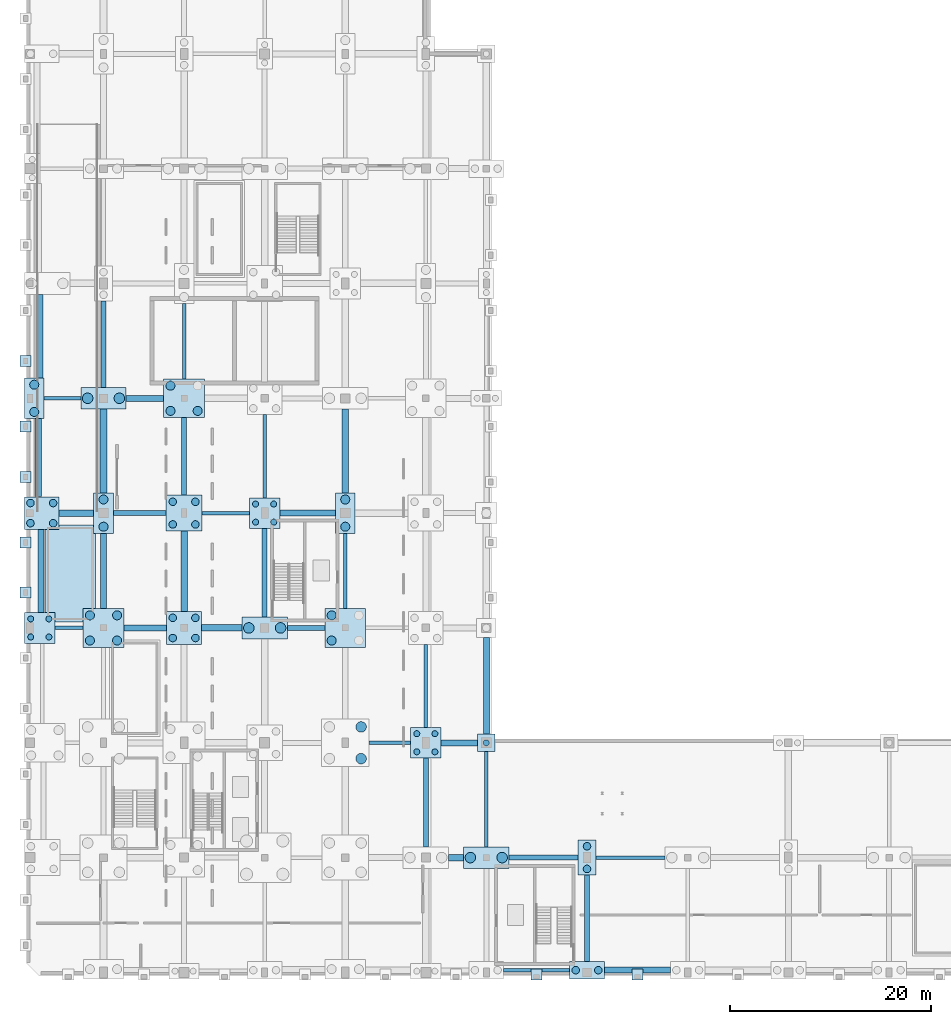
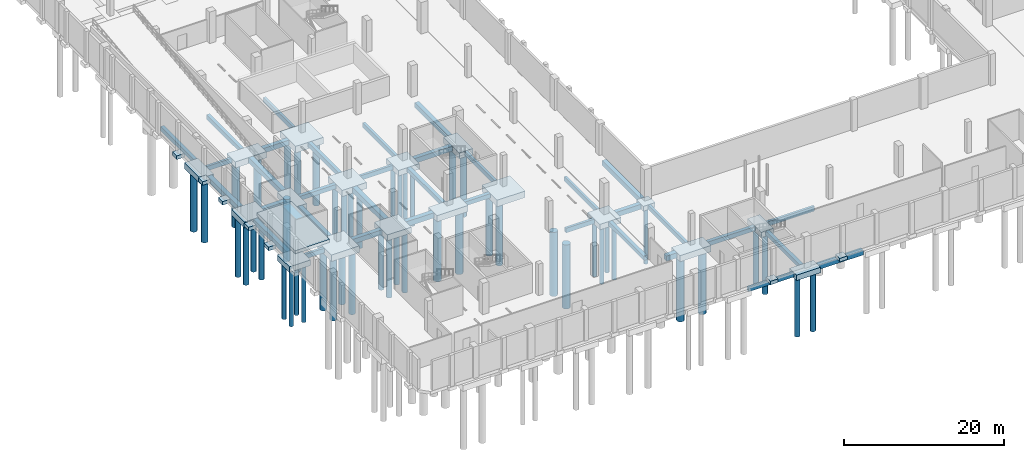
# One storey, part 2 of 34: 61 footings, 52 piles.
"""IFC4 building model written with IfcOpenShell, lengths in metres."""

from ifc_helpers import new_model, si_unit, direction, frame, origin, origin_2d, place, context, subcontext, project, spatial, rectangle, circle, extrude, material, material_profile, profile_set, type_object, element, save


model = new_model("IFC4")

# Units and contexts
model_context = context("Model", 3, precision=1e-05, world=origin(), true_north=direction((0.0, 1.0)))
body_context = subcontext(model_context, "Body", "Model", "MODEL_VIEW")
ifc_project = project(units=[si_unit("LENGTHUNIT", "METRE"), si_unit("AREAUNIT", "SQUARE_METRE"), si_unit("VOLUMEUNIT", "CUBIC_METRE"), si_unit("PLANEANGLEUNIT", "RADIAN"), si_unit("MASSUNIT", "GRAM", prefix="KILO"), si_unit("POWERUNIT", "WATT"), si_unit("THERMODYNAMICTEMPERATUREUNIT", "KELVIN")], contexts=[model_context])

# Site, building, storey
site_placement = place(None, origin())
site = spatial("IfcSite", under=ifc_project, at=site_placement, CompositionType="ELEMENT")
building_placement = place(site_placement, origin())
building = spatial("IfcBuilding", under=site, at=building_placement, Name="Kelmbourne Parkland Aquatics Centre", CompositionType="ELEMENT")
storey_placement = place(building_placement, frame((0.0, 0.0, -4.800048828125)))
storey = spatial("IfcBuildingStorey", under=building, at=storey_placement, Name="B1", CompositionType="ELEMENT", Elevation=-4.800048828125)

# Footings
ifc_material = material(Name="Waterproof concrete C50/60", Category="concrete")
footing_type_1 = type_object("IfcFootingType", Name="FT-FB1", PredefinedType="FOOTING_BEAM", material=ifc_material)
footing_1_placement = place(storey_placement, frame((51.6875, 12.199951171875, -1.099853515625), z_axis=(0.0, 0.0, 1.0), x_axis=(1.0, 0.0, 0.0)))
element("IfcFooting", 1, at=footing_1_placement, inside=storey, type_object=footing_type_1, Name="Ground tie beam G-H on Grid 03", PredefinedType="FOOTING_BEAM", context=body_context, shape_type="SweptSolid", body=[
    extrude(rectangle(XDim=6.875, YDim=0.5, at=origin_2d()), origin(), (0.0, 0.0, 1.0), 0.64990234375),
])
footing_2_placement = place(storey_placement, frame((28.112548828125, 35.0, -1.099853515625), z_axis=(0.0, 0.0, 1.0), x_axis=(1.0, 0.0, 0.0)))
element("IfcFooting", 2, at=footing_2_placement, inside=storey, type_object=footing_type_1, Name="Ground tie beam D-E on Grid 05", PredefinedType="FOOTING_BEAM", context=body_context, shape_type="SweptSolid", body=[
    extrude(rectangle(XDim=3.72509765625, YDim=0.5, at=origin_2d()), origin(), (0.0, 0.0, 1.0), 0.64990234375),
])
footing_3_placement = place(storey_placement, frame((11.60009765625, 46.39990234375, -1.099853515625), z_axis=(0.0, 0.0, 1.0), x_axis=(1.0, 0.0, 0.0)))
element("IfcFooting", 3, at=footing_3_placement, inside=storey, type_object=footing_type_1, Name="Ground tie beam B-C on Grid 06", PredefinedType="FOOTING_BEAM", context=body_context, shape_type="SweptSolid", body=[
    extrude(rectangle(XDim=5.25, YDim=0.5, at=origin_2d()), origin(), (0.0, 0.0, 1.0), 0.64990234375),
])
footing_4_placement = place(storey_placement, frame((1.762451171875, 63.96240234375, -1.099853515625), z_axis=(0.0, 0.0, 1.0), x_axis=(0.0, 1.0, 0.0)))
element("IfcFooting", 4, at=footing_4_placement, inside=storey, type_object=footing_type_1, Name="Ground tie beam 08-10 on Grid A", PredefinedType="FOOTING_BEAM", context=body_context, shape_type="SweptSolid", body=[
    extrude(rectangle(XDim=8.324951171875, YDim=0.5, at=origin_2d()), origin(), (0.0, 0.0, 1.0), 0.64990234375),
])
footing_5_placement = place(storey_placement, frame((8.0, 63.175048828125, -1.099853515625), z_axis=(0.0, 0.0, 1.0), x_axis=(0.0, 1.0, 0.0)))
element("IfcFooting", 5, at=footing_5_placement, inside=storey, type_object=footing_type_1, Name="Ground tie beam 08-10 on Grid B", PredefinedType="FOOTING_BEAM", context=body_context, shape_type="SweptSolid", body=[
    extrude(rectangle(XDim=8.60009765625, YDim=0.5, at=origin_2d()), origin(), (0.0, 0.0, 1.0), 0.64990234375),
])
footing_6_placement = place(storey_placement, frame((16.0, 52.02490234375, -1.099853515625), z_axis=(0.0, 0.0, 1.0), x_axis=(0.0, 1.0, 0.0)))
element("IfcFooting", 6, at=footing_6_placement, inside=storey, type_object=footing_type_1, Name="Ground tie beam 06-08 on Grid C", PredefinedType="FOOTING_BEAM", context=body_context, shape_type="SweptSolid", body=[
    extrude(rectangle(XDim=7.699951171875, YDim=0.5, at=origin_2d()), origin(), (0.0, 0.0, 1.0), 0.64990234375),
])
for number, where, z_axis, x_axis, name in (
    (7, (24.0, 40.47509765625, -1.099853515625), (0.0, 0.0, 1.0), (0.0, 1.0, 0.0), "Ground tie beam 05-06 on Grid D"),
    (8, (40.0, 17.675048828125, -1.099853515625), (0.0, 0.0, 1.0), (0.0, 1.0, 0.0), "Ground tie beam 03-04 on Grid F"),
):
    element("IfcFooting", number, at=place(storey_placement, frame(where, z_axis=z_axis, x_axis=x_axis)), inside=storey, type_object=footing_type_1, Name=name, PredefinedType="FOOTING_BEAM", context=body_context, shape_type="SweptSolid", body=[
        extrude(rectangle(XDim=8.800048828125, YDim=0.5, at=origin_2d()), origin(), (0.0, 0.0, 1.0), 0.64990234375),
    ])
footing_7_placement = place(storey_placement, frame((56.0, 6.1875, -1.099853515625), z_axis=(0.0, 0.0, 1.0), x_axis=(0.0, 1.0, 0.0)))
element("IfcFooting", 9, at=footing_7_placement, inside=storey, type_object=footing_type_1, Name="Ground tie beam 01-03 on Grid H", PredefinedType="FOOTING_BEAM", context=body_context, shape_type="SweptSolid", body=[
    extrude(rectangle(XDim=8.574951171875, YDim=0.5, at=origin_2d()), origin(), (0.0, 0.0, 1.0), 0.64990234375),
])
footing_type_2 = type_object("IfcFootingType", Name="FT-FB2", PredefinedType="FOOTING_BEAM", material=ifc_material)
footing_8_placement = place(storey_placement, frame((51.0, 1.02490234375, -1.14990234375), z_axis=(0.0, 0.0, 1.0), x_axis=(1.0, 0.0, 0.0)))
element("IfcFooting", 10, at=footing_8_placement, inside=storey, type_object=footing_type_2, Name="Ground tie beam G-H on Grid 01", PredefinedType="FOOTING_BEAM", context=body_context, shape_type="SweptSolid", body=[
    extrude(rectangle(XDim=6.550048828125, YDim=0.35009765625, at=origin_2d()), origin(), (0.0, 0.0, 1.0), 0.699951171875),
])
footing_9_placement = place(storey_placement, frame((60.3125, 12.199951171875, -1.14990234375), z_axis=(0.0, 0.0, 1.0), x_axis=(1.0, 0.0, 0.0)))
element("IfcFooting", 11, at=footing_9_placement, inside=storey, type_object=footing_type_2, Name="Ground tie beam H-I on Grid 03", PredefinedType="FOOTING_BEAM", context=body_context, shape_type="SweptSolid", body=[
    extrude(rectangle(XDim=6.875, YDim=0.35009765625, at=origin_2d()), origin(), (0.0, 0.0, 1.0), 0.699951171875),
])
footing_10_placement = place(storey_placement, frame((36.425048828125, 23.60009765625, -1.14990234375), z_axis=(0.0, 0.0, 1.0), x_axis=(1.0, 0.0, 0.0)))
element("IfcFooting", 12, at=footing_10_placement, inside=storey, type_object=footing_type_2, Name="Ground tie beam E-F on Grid 04", PredefinedType="FOOTING_BEAM", context=body_context, shape_type="SweptSolid", body=[
    extrude(rectangle(XDim=4.10009765625, YDim=0.35009765625, at=origin_2d()), origin(), (0.0, 0.0, 1.0), 0.699951171875),
])
footing_11_placement = place(storey_placement, frame((4.58740234375, 35.0, -1.14990234375), z_axis=(0.0, 0.0, 1.0), x_axis=(1.0, 0.0, 0.0)))
element("IfcFooting", 13, at=footing_11_placement, inside=storey, type_object=footing_type_2, Name="Ground tie beam A-B on Grid 05", PredefinedType="FOOTING_BEAM", context=body_context, shape_type="SweptSolid", body=[
    extrude(rectangle(XDim=2.77490234375, YDim=0.35009765625, at=origin_2d()), origin(), (0.0, 0.0, 1.0), 0.699951171875),
])
footing_12_placement = place(storey_placement, frame((20.125, 46.39990234375, -1.14990234375), z_axis=(0.0, 0.0, 1.0), x_axis=(1.0, 0.0, 0.0)))
element("IfcFooting", 14, at=footing_12_placement, inside=storey, type_object=footing_type_2, Name="Ground tie beam C-D on Grid 06", PredefinedType="FOOTING_BEAM", context=body_context, shape_type="SweptSolid", body=[
    extrude(rectangle(XDim=4.699951171875, YDim=0.35009765625, at=origin_2d()), origin(), (0.0, 0.0, 1.0), 0.699951171875),
])
footing_13_placement = place(storey_placement, frame((3.925048828125, 57.800048828125, -1.14990234375), z_axis=(0.0, 0.0, 1.0), x_axis=(1.0, 0.0, 0.0)))
element("IfcFooting", 15, at=footing_13_placement, inside=storey, type_object=footing_type_2, Name="Ground tie beam A-B on Grid 08", PredefinedType="FOOTING_BEAM", context=body_context, shape_type="SweptSolid", body=[
    extrude(rectangle(XDim=3.64990234375, YDim=0.35009765625, at=origin_2d()), origin(), (0.0, 0.0, 1.0), 0.699951171875),
])
footing_14_placement = place(storey_placement, frame((16.0, 63.46240234375, -1.14990234375), z_axis=(0.0, 0.0, 1.0), x_axis=(0.0, 1.0, 0.0)))
element("IfcFooting", 16, at=footing_14_placement, inside=storey, type_object=footing_type_2, Name="Ground tie beam 08-10 on Grid C", PredefinedType="FOOTING_BEAM", context=body_context, shape_type="SweptSolid", body=[
    extrude(rectangle(XDim=7.47509765625, YDim=0.35009765625, at=origin_2d()), origin(), (0.0, 0.0, 1.0), 0.699951171875),
])
footing_15_placement = place(storey_placement, frame((24.0, 52.050048828125, -1.14990234375), z_axis=(0.0, 0.0, 1.0), x_axis=(0.0, 1.0, 0.0)))
element("IfcFooting", 17, at=footing_15_placement, inside=storey, type_object=footing_type_2, Name="Ground tie beam 06-08 on Grid D", PredefinedType="FOOTING_BEAM", context=body_context, shape_type="SweptSolid", body=[
    extrude(rectangle(XDim=8.25, YDim=0.35009765625, at=origin_2d()), origin(), (0.0, 0.0, 1.0), 0.699951171875),
])
footing_16_placement = place(storey_placement, frame((32.0, 40.66259765625, -1.14990234375), z_axis=(0.0, 0.0, 1.0), x_axis=(0.0, 1.0, 0.0)))
element("IfcFooting", 18, at=footing_16_placement, inside=storey, type_object=footing_type_2, Name="Ground tie beam 05-06 on Grid E", PredefinedType="FOOTING_BEAM", context=body_context, shape_type="SweptSolid", body=[
    extrude(rectangle(XDim=7.47509765625, YDim=0.35009765625, at=origin_2d()), origin(), (0.0, 0.0, 1.0), 0.699951171875),
])
footing_17_placement = place(storey_placement, frame((40.0, 29.25, -1.14990234375), z_axis=(0.0, 0.0, 1.0), x_axis=(0.0, 1.0, 0.0)))
element("IfcFooting", 19, at=footing_17_placement, inside=storey, type_object=footing_type_2, Name="Ground tie beam 04-05 on Grid F", PredefinedType="FOOTING_BEAM", context=body_context, shape_type="SweptSolid", body=[
    extrude(rectangle(XDim=8.25, YDim=0.35009765625, at=origin_2d()), origin(), (0.0, 0.0, 1.0), 0.699951171875),
])
footing_18_placement = place(storey_placement, frame((46.0, 18.012451171875, -1.14990234375), z_axis=(0.0, 0.0, 1.0), x_axis=(0.0, 1.0, 0.0)))
element("IfcFooting", 20, at=footing_18_placement, inside=storey, type_object=footing_type_2, Name="Ground tie beam 03-04 on Grid G", PredefinedType="FOOTING_BEAM", context=body_context, shape_type="SweptSolid", body=[
    extrude(rectangle(XDim=9.47509765625, YDim=0.35009765625, at=origin_2d()), origin(), (0.0, 0.0, 1.0), 0.699951171875),
])
footing_type_3 = type_object("IfcFootingType", Name="FT-FB3", PredefinedType="FOOTING_BEAM", material=ifc_material)
footing_19_placement = place(storey_placement, frame((61.0, 1.02490234375, -1.199951171875), z_axis=(0.0, 0.0, 1.0), x_axis=(1.0, 0.0, 0.0)))
element("IfcFooting", 21, at=footing_19_placement, inside=storey, type_object=footing_type_3, Name="Ground tie beam H-I on Grid 01", PredefinedType="FOOTING_BEAM", context=body_context, shape_type="SweptSolid", body=[
    extrude(rectangle(XDim=6.550048828125, YDim=0.60009765625, at=origin_2d()), origin(), (0.0, 0.0, 1.0), 0.75),
])
footing_20_placement = place(storey_placement, frame((43.33740234375, 23.60009765625, -1.199951171875), z_axis=(0.0, 0.0, 1.0), x_axis=(1.0, 0.0, 0.0)))
element("IfcFooting", 22, at=footing_20_placement, inside=storey, type_object=footing_type_3, Name="Ground tie beam F-G on Grid 04", PredefinedType="FOOTING_BEAM", context=body_context, shape_type="SweptSolid", body=[
    extrude(rectangle(XDim=3.625, YDim=0.60009765625, at=origin_2d()), origin(), (0.0, 0.0, 1.0), 0.75),
])
footing_21_placement = place(storey_placement, frame((12.14990234375, 35.0, -1.199951171875), z_axis=(0.0, 0.0, 1.0), x_axis=(1.0, 0.0, 0.0)))
element("IfcFooting", 23, at=footing_21_placement, inside=storey, type_object=footing_type_3, Name="Ground tie beam B-C on Grid 05", PredefinedType="FOOTING_BEAM", context=body_context, shape_type="SweptSolid", body=[
    extrude(rectangle(XDim=4.25, YDim=0.60009765625, at=origin_2d()), origin(), (0.0, 0.0, 1.0), 0.75),
])
footing_22_placement = place(storey_placement, frame((28.27490234375, 46.39990234375, -1.199951171875), z_axis=(0.0, 0.0, 1.0), x_axis=(1.0, 0.0, 0.0)))
element("IfcFooting", 24, at=footing_22_placement, inside=storey, type_object=footing_type_3, Name="Ground tie beam D-E on Grid 06", PredefinedType="FOOTING_BEAM", context=body_context, shape_type="SweptSolid", body=[
    extrude(rectangle(XDim=5.5, YDim=0.60009765625, at=origin_2d()), origin(), (0.0, 0.0, 1.0), 0.75),
])
footing_23_placement = place(storey_placement, frame((12.112548828125, 57.800048828125, -1.199951171875), z_axis=(0.0, 0.0, 1.0), x_axis=(1.0, 0.0, 0.0)))
element("IfcFooting", 25, at=footing_23_placement, inside=storey, type_object=footing_type_3, Name="Ground tie beam B-C on Grid 08", PredefinedType="FOOTING_BEAM", context=body_context, shape_type="SweptSolid", body=[
    extrude(rectangle(XDim=3.72509765625, YDim=0.60009765625, at=origin_2d()), origin(), (0.0, 0.0, 1.0), 0.75),
])
footing_24_placement = place(storey_placement, frame((1.77490234375, 40.64990234375, -1.199951171875), z_axis=(0.0, 0.0, 1.0), x_axis=(0.0, 1.0, 0.0)))
element("IfcFooting", 26, at=footing_24_placement, inside=storey, type_object=footing_type_3, Name="Ground tie beam 05-06 on Grid A", PredefinedType="FOOTING_BEAM", context=body_context, shape_type="SweptSolid", body=[
    extrude(rectangle(XDim=8.25, YDim=0.60009765625, at=origin_2d()), origin(), (0.0, 0.0, 1.0), 0.75),
])
footing_25_placement = place(storey_placement, frame((8.0, 40.66259765625, -1.199951171875), z_axis=(0.0, 0.0, 1.0), x_axis=(0.0, 1.0, 0.0)))
element("IfcFooting", 27, at=footing_25_placement, inside=storey, type_object=footing_type_3, Name="Ground tie beam 05-06 on Grid B", PredefinedType="FOOTING_BEAM", context=body_context, shape_type="SweptSolid", body=[
    extrude(rectangle(XDim=7.47509765625, YDim=0.60009765625, at=origin_2d()), origin(), (0.0, 0.0, 1.0), 0.75),
])
footing_26_placement = place(storey_placement, frame((32.0, 52.5625, -1.199951171875), z_axis=(0.0, 0.0, 1.0), x_axis=(0.0, 1.0, 0.0)))
element("IfcFooting", 28, at=footing_26_placement, inside=storey, type_object=footing_type_3, Name="Ground tie beam 06-08 on Grid E", PredefinedType="FOOTING_BEAM", context=body_context, shape_type="SweptSolid", body=[
    extrude(rectangle(XDim=8.324951171875, YDim=0.60009765625, at=origin_2d()), origin(), (0.0, 0.0, 1.0), 0.75),
])
footing_27_placement = place(storey_placement, frame((46.0, 29.25, -1.199951171875), z_axis=(0.0, 0.0, 1.0), x_axis=(0.0, 1.0, 0.0)))
element("IfcFooting", 29, at=footing_27_placement, inside=storey, type_object=footing_type_3, Name="Ground tie beam 04-05 on Grid G", PredefinedType="FOOTING_BEAM", context=body_context, shape_type="SweptSolid", body=[
    extrude(rectangle(XDim=9.60009765625, YDim=0.60009765625, at=origin_2d()), origin(), (0.0, 0.0, 1.0), 0.75),
])
footing_type_4 = type_object("IfcFootingType", Name="FT-FB4", PredefinedType="FOOTING_BEAM", material=ifc_material)
footing_28_placement = place(storey_placement, frame((43.0, 12.199951171875, -1.25), z_axis=(0.0, 0.0, 1.0), x_axis=(1.0, 0.0, 0.0)))
element("IfcFooting", 30, at=footing_28_placement, inside=storey, type_object=footing_type_4, Name="Ground tie beam F-G on Grid 03", PredefinedType="FOOTING_BEAM", context=body_context, shape_type="SweptSolid", body=[
    extrude(rectangle(XDim=1.5, YDim=0.64990234375, at=origin_2d()), origin(), (0.0, 0.0, 1.0), 0.800048828125),
])
footing_29_placement = place(storey_placement, frame((19.737548828125, 35.0, -1.25), z_axis=(0.0, 0.0, 1.0), x_axis=(1.0, 0.0, 0.0)))
element("IfcFooting", 31, at=footing_29_placement, inside=storey, type_object=footing_type_4, Name="Ground tie beam C-D on Grid 05", PredefinedType="FOOTING_BEAM", context=body_context, shape_type="SweptSolid", body=[
    extrude(rectangle(XDim=4.02490234375, YDim=0.64990234375, at=origin_2d()), origin(), (0.0, 0.0, 1.0), 0.800048828125),
])
footing_30_placement = place(storey_placement, frame((5.3125, 46.39990234375, -1.25), z_axis=(0.0, 0.0, 1.0), x_axis=(1.0, 0.0, 0.0)))
element("IfcFooting", 32, at=footing_30_placement, inside=storey, type_object=footing_type_4, Name="Ground tie beam A-B on Grid 06", PredefinedType="FOOTING_BEAM", context=body_context, shape_type="SweptSolid", body=[
    extrude(rectangle(XDim=3.425048828125, YDim=0.64990234375, at=origin_2d()), origin(), (0.0, 0.0, 1.0), 0.800048828125),
])
footing_31_placement = place(storey_placement, frame((1.5, 51.91259765625, -1.25), z_axis=(0.0, 0.0, 1.0), x_axis=(0.0, 1.0, 0.0)))
element("IfcFooting", 33, at=footing_31_placement, inside=storey, type_object=footing_type_4, Name="Ground tie beam 06-08 on Grid A", PredefinedType="FOOTING_BEAM", context=body_context, shape_type="SweptSolid", body=[
    extrude(rectangle(XDim=7.77490234375, YDim=0.64990234375, at=origin_2d()), origin(), (0.0, 0.0, 1.0), 0.800048828125),
])
footing_32_placement = place(storey_placement, frame((8.0, 52.5625, -1.25), z_axis=(0.0, 0.0, 1.0), x_axis=(0.0, 1.0, 0.0)))
element("IfcFooting", 34, at=footing_32_placement, inside=storey, type_object=footing_type_4, Name="Ground tie beam 06-08 on Grid B", PredefinedType="FOOTING_BEAM", context=body_context, shape_type="SweptSolid", body=[
    extrude(rectangle(XDim=8.324951171875, YDim=0.64990234375, at=origin_2d()), origin(), (0.0, 0.0, 1.0), 0.800048828125),
])
footing_33_placement = place(storey_placement, frame((16.0, 40.625, -1.25), z_axis=(0.0, 0.0, 1.0), x_axis=(0.0, 1.0, 0.0)))
element("IfcFooting", 35, at=footing_33_placement, inside=storey, type_object=footing_type_4, Name="Ground tie beam 05-06 on Grid C", PredefinedType="FOOTING_BEAM", context=body_context, shape_type="SweptSolid", body=[
    extrude(rectangle(XDim=8.0, YDim=0.64990234375, at=origin_2d()), origin(), (0.0, 0.0, 1.0), 0.800048828125),
])
footing_type_5 = type_object("IfcFootingType", Name="FT-PC01", PredefinedType="PILE_CAP", material=ifc_material)
footing_34_placement = place(storey_placement, frame((46.0, 23.60009765625, -1.199951171875), z_axis=(0.0, 0.0, 1.0), x_axis=(1.0, 0.0, 0.0)))
element("IfcFooting", 36, at=footing_34_placement, inside=storey, type_object=footing_type_5, Name="Bored pile cap PC-G-04", PredefinedType="PILE_CAP", context=body_context, shape_type="SweptSolid", body=[
    extrude(rectangle(XDim=1.699951171875, YDim=1.699951171875, at=origin_2d()), origin(), (0.0, 0.0, 1.0), 0.75),
])
footing_type_6 = type_object("IfcFootingType", Name="FT-PC06", PredefinedType="PILE_CAP", material=ifc_material)
footing_35_placement = place(storey_placement, frame((56.0, 1.02490234375, -1.300048828125), z_axis=(0.0, 0.0, 1.0), x_axis=(1.0, 0.0, 0.0)))
element("IfcFooting", 37, at=footing_35_placement, inside=storey, type_object=footing_type_6, Name="Bored pile cap PC-H-01", PredefinedType="PILE_CAP", context=body_context, shape_type="SweptSolid", body=[
    extrude(rectangle(XDim=3.449951171875, YDim=1.75, at=origin_2d()), origin(), (0.0, 0.0, 1.0), 0.85009765625),
])
footing_type_7 = type_object("IfcFootingType", Name="FT-PC07", PredefinedType="PILE_CAP", material=ifc_material)
footing_36_placement = place(storey_placement, frame((56.0, 12.199951171875, -1.300048828125), z_axis=(0.0, 0.0, 1.0), x_axis=(1.0, 0.0, 0.0)))
element("IfcFooting", 38, at=footing_36_placement, inside=storey, type_object=footing_type_7, Name="Bored pile cap PC-H-03", PredefinedType="PILE_CAP", context=body_context, shape_type="SweptSolid", body=[
    extrude(rectangle(XDim=1.75, YDim=3.449951171875, at=origin_2d()), origin(), (0.0, 0.0, 1.0), 0.85009765625),
])
footing_type_8 = type_object("IfcFootingType", Name="FT-PC09", PredefinedType="PILE_CAP", material=ifc_material)
for number, where, z_axis, x_axis, name in (
    (39, (1.125, 57.800048828125, -1.349853515625), (0.0, 0.0, 1.0), (1.0, 0.0, 0.0), "Bored pile cap PC-A-08"),
    (40, (8.0, 46.39990234375, -1.349853515625), (0.0, 0.0, 1.0), (1.0, 0.0, 0.0), "Bored pile cap PC-B-06"),
    (41, (32.0, 46.39990234375, -1.349853515625), (0.0, 0.0, 1.0), (1.0, 0.0, 0.0), "Bored pile cap PC-E-06"),
):
    element("IfcFooting", number, at=place(storey_placement, frame(where, z_axis=z_axis, x_axis=x_axis)), inside=storey, type_object=footing_type_8, Name=name, PredefinedType="PILE_CAP", context=body_context, shape_type="SweptSolid", body=[
        extrude(rectangle(XDim=1.949951171875, YDim=4.0, at=origin_2d()), origin(), (0.0, 0.0, 1.0), 0.89990234375),
    ])
footing_type_9 = type_object("IfcFootingType", Name="FT-PC10", PredefinedType="PILE_CAP", material=ifc_material)
for number, where, z_axis, x_axis, name in (
    (42, (8.0, 57.800048828125, -1.39990234375), (0.0, 0.0, 1.0), (1.0, 0.0, 0.0), "Bored pile cap PC-B-08"),
    (43, (24.0, 35.0, -1.39990234375), (0.0, 0.0, 1.0), (1.0, 0.0, 0.0), "Bored pile cap PC-D-05"),
    (44, (46.0, 12.199951171875, -1.39990234375), (0.0, 0.0, 1.0), (1.0, 0.0, 0.0), "Bored pile cap PC-G-03"),
):
    element("IfcFooting", number, at=place(storey_placement, frame(where, z_axis=z_axis, x_axis=x_axis)), inside=storey, type_object=footing_type_9, Name=name, PredefinedType="PILE_CAP", context=body_context, shape_type="SweptSolid", body=[
        extrude(rectangle(XDim=4.5, YDim=2.14990234375, at=origin_2d()), origin(), (0.0, 0.0, 1.0), 0.949951171875),
    ])
footing_type_10 = type_object("IfcFootingType", Name="FT-PC11", PredefinedType="PILE_CAP", material=ifc_material)
for number, where, z_axis, x_axis, name in (
    (45, (1.675048828125, 35.0, -1.300048828125), (0.0, 0.0, 1.0), (1.0, 0.0, 0.0), "Bored pile cap PC-A-05"),
    (46, (24.0, 46.39990234375, -1.300048828125), (0.0, 0.0, 1.0), (1.0, 0.0, 0.0), "Bored pile cap PC-D-06"),
    (47, (40.0, 23.60009765625, -1.300048828125), (0.0, 0.0, 1.0), (1.0, 0.0, 0.0), "Bored pile cap PC-F-04"),
):
    element("IfcFooting", number, at=place(storey_placement, frame(where, z_axis=z_axis, x_axis=x_axis)), inside=storey, type_object=footing_type_10, Name=name, PredefinedType="PILE_CAP", context=body_context, shape_type="SweptSolid", body=[
        extrude(rectangle(XDim=3.050048828125, YDim=3.050048828125, at=origin_2d()), origin(), (0.0, 0.0, 1.0), 0.85009765625),
    ])
footing_type_11 = type_object("IfcFootingType", Name="FT-PC12", PredefinedType="PILE_CAP", material=ifc_material)
for number, where, z_axis, x_axis, name in (
    (48, (1.875, 46.39990234375, -1.349853515625), (0.0, 0.0, 1.0), (1.0, 0.0, 0.0), "Bored pile cap PC-A-06"),
    (49, (16.0, 35.0, -1.349853515625), (0.0, 0.0, 1.0), (1.0, 0.0, 0.0), "Bored pile cap PC-C-05"),
):
    element("IfcFooting", number, at=place(storey_placement, frame(where, z_axis=z_axis, x_axis=x_axis)), inside=storey, type_object=footing_type_11, Name=name, PredefinedType="PILE_CAP", context=body_context, shape_type="SweptSolid", body=[
        extrude(rectangle(XDim=3.449951171875, YDim=3.25, at=origin_2d()), origin(), (0.0, 0.0, 1.0), 0.89990234375),
    ])
footing_type_12 = type_object("IfcFootingType", Name="FT-PC13", PredefinedType="PILE_CAP", material=ifc_material)
footing_37_placement = place(storey_placement, frame((16.0, 46.39990234375, -1.39990234375), z_axis=(0.0, 0.0, 1.0), x_axis=(1.0, 0.0, 0.0)))
element("IfcFooting", 50, at=footing_37_placement, inside=storey, type_object=footing_type_12, Name="Bored pile cap PC-C-06", PredefinedType="PILE_CAP", context=body_context, shape_type="SweptSolid", body=[
    extrude(rectangle(XDim=3.550048828125, YDim=3.550048828125, at=origin_2d()), origin(), (0.0, 0.0, 1.0), 0.949951171875),
])
footing_type_13 = type_object("IfcFootingType", Name="FT-PC14", PredefinedType="PILE_CAP", material=ifc_material)
for number, where, z_axis, x_axis, name in (
    (51, (8.0, 35.0, -1.449951171875), (0.0, 0.0, 1.0), (1.0, 0.0, 0.0), "Bored pile cap PC-B-05"),
    (52, (16.0, 57.800048828125, -1.449951171875), (0.0, 0.0, 1.0), (1.0, 0.0, 0.0), "Bored pile cap PC-C-08"),
    (53, (32.0, 35.0, -1.449951171875), (0.0, 0.0, 1.0), (1.0, 0.0, 0.0), "Bored pile cap PC-E-05"),
):
    element("IfcFooting", number, at=place(storey_placement, frame(where, z_axis=z_axis, x_axis=x_axis)), inside=storey, type_object=footing_type_13, Name=name, PredefinedType="PILE_CAP", context=body_context, shape_type="SweptSolid", body=[
        extrude(rectangle(XDim=4.050048828125, YDim=3.85009765625, at=origin_2d()), origin(), (0.0, 0.0, 1.0), 1.0),
    ])
footing_type_14 = type_object("IfcFootingType", Name="FT-SF1", PredefinedType="STRIP_FOOTING", material=ifc_material)
for number, where, z_axis, x_axis, name in (
    (54, (0.260009765625, 38.5, -0.5498046875), (0.0, 0.0, 1.0), (1.0, 0.0, 0.0), "Brick buttress footing W-007"),
    (55, (0.260009765625, 43.5, -0.5498046875), (0.0, 0.0, 1.0), (1.0, 0.0, 0.0), "Brick buttress footing W-008"),
    (56, (0.260009765625, 50.0, -0.5498046875), (0.0, 0.0, 1.0), (1.0, 0.0, 0.0), "Brick buttress footing W-009"),
    (57, (0.260009765625, 55.0, -0.5498046875), (0.0, 0.0, 1.0), (1.0, 0.0, 0.0), "Brick buttress footing W-010"),
    (58, (0.260009765625, 61.5, -0.5498046875), (0.0, 0.0, 1.0), (1.0, 0.0, 0.0), "Brick buttress footing W-011"),
    (59, (51.0, 0.60009765625, -0.5498046875), (0.0, 0.0, 1.0), (1.0, 0.0, 0.0), "Brick buttress footing S-025"),
    (60, (61.0, 0.60009765625, -0.5498046875), (0.0, 0.0, 1.0), (1.0, 0.0, 0.0), "Brick buttress footing S-026"),
):
    element("IfcFooting", number, at=place(storey_placement, frame(where, z_axis=z_axis, x_axis=x_axis)), inside=storey, type_object=footing_type_14, Name=name, PredefinedType="STRIP_FOOTING", context=body_context, shape_type="SweptSolid", body=[
        extrude(rectangle(XDim=1.10009765625, YDim=1.10009765625, at=origin_2d()), origin(), (0.0, 0.0, 1.0), 0.550048828125),
    ])
footing_38_placement = place(storey_placement, frame((4.699951171875, 40.39990234375, -0.5), z_axis=(0.0, 0.0, 1.0), x_axis=(1.0, 0.0, 0.0)))
element("IfcFooting", 61, at=footing_38_placement, inside=storey, type_object=footing_type_14, Name="West Hydrotherapy Exit Stair foundation pad", PredefinedType="STRIP_FOOTING", context=body_context, shape_type="SweptSolid", body=[
    extrude(rectangle(XDim=5.0, YDim=9.60009765625, at=origin_2d()), origin(), (0.0, 0.0, 1.0), 0.5),
])

# Piles
ifc_material_profile_1 = material_profile(ifc_material, circle(Radius=0.52490234375, at=origin_2d()), Name="PILE D1050")
ifc_profile_set_1 = profile_set([ifc_material_profile_1], Name="Waterproof concrete C50/60")
pile_type_1 = type_object("IfcPileType", Name="PL-1050", PredefinedType="BORED", material=ifc_profile_set_1)
for number, where, z_axis, x_axis, name in (
    (62, (6.425048828125, 57.800048828125, -1.300048828125), (0.0, 0.0, -1.0), (1.0, 0.0, 0.0), "Rock-socketed bored pile B-08-1"),
    (63, (9.574951171875, 57.800048828125, -1.300048828125), (0.0, 0.0, -1.0), (1.0, 0.0, 0.0), "Rock-socketed bored pile B-08-2"),
    (64, (22.425048828125, 35.0, -1.300048828125), (0.0, 0.0, -1.0), (1.0, 0.0, 0.0), "Rock-socketed bored pile D-05-1"),
    (65, (25.574951171875, 35.0, -1.300048828125), (0.0, 0.0, -1.0), (1.0, 0.0, 0.0), "Rock-socketed bored pile D-05-2"),
    (66, (33.574951171875, 22.02490234375, -1.5), (0.0, 0.0, -1.0), (1.0, 0.0, 0.0), "Rock-socketed bored pile E-04-2"),
    (67, (33.574951171875, 25.175048828125, -1.5), (0.0, 0.0, -1.0), (1.0, 0.0, 0.0), "Rock-socketed bored pile E-04-4"),
    (68, (44.425048828125, 12.199951171875, -1.300048828125), (0.0, 0.0, -1.0), (1.0, 0.0, 0.0), "Rock-socketed bored pile G-03-1"),
    (69, (47.574951171875, 12.199951171875, -1.300048828125), (0.0, 0.0, -1.0), (1.0, 0.0, 0.0), "Rock-socketed bored pile G-03-2"),
):
    element("IfcPile", number, at=place(storey_placement, frame(where, z_axis=z_axis, x_axis=x_axis)), inside=storey, type_object=pile_type_1, Name=name, PredefinedType="BORED", context=body_context, shape_type="SweptSolid", body=[
        extrude(circle(Radius=0.52490234375, at=origin_2d()), origin(), (0.0, 0.0, 1.0), 9.800048828125),
    ])
ifc_material_profile_2 = material_profile(ifc_material, circle(Radius=0.300048828125, at=origin_2d()), Name="PILE D600")
ifc_profile_set_2 = profile_set([ifc_material_profile_2], Name="Waterproof concrete C50/60")
pile_type_2 = type_object("IfcPileType", Name="PL-600", PredefinedType="BORED", material=ifc_profile_set_2)
for number, where, z_axis, x_axis, name in (
    (70, (0.77490234375, 34.10009765625, -1.199951171875), (0.0, 0.0, -1.0), (1.0, 0.0, 0.0), "Rock-socketed bored pile A-05-1"),
    (71, (2.574951171875, 34.10009765625, -1.199951171875), (0.0, 0.0, -1.0), (1.0, 0.0, 0.0), "Rock-socketed bored pile A-05-2"),
    (72, (0.77490234375, 35.89990234375, -1.199951171875), (0.0, 0.0, -1.0), (1.0, 0.0, 0.0), "Rock-socketed bored pile A-05-3"),
    (73, (2.574951171875, 35.89990234375, -1.199951171875), (0.0, 0.0, -1.0), (1.0, 0.0, 0.0), "Rock-socketed bored pile A-05-4"),
    (74, (23.10009765625, 45.5, -1.199951171875), (0.0, 0.0, -1.0), (1.0, 0.0, 0.0), "Rock-socketed bored pile D-06-1"),
    (75, (24.89990234375, 45.5, -1.199951171875), (0.0, 0.0, -1.0), (1.0, 0.0, 0.0), "Rock-socketed bored pile D-06-2"),
    (76, (23.10009765625, 47.300048828125, -1.199951171875), (0.0, 0.0, -1.0), (1.0, 0.0, 0.0), "Rock-socketed bored pile D-06-3"),
    (77, (24.89990234375, 47.300048828125, -1.199951171875), (0.0, 0.0, -1.0), (1.0, 0.0, 0.0), "Rock-socketed bored pile D-06-4"),
    (78, (39.10009765625, 22.699951171875, -1.199951171875), (0.0, 0.0, -1.0), (1.0, 0.0, 0.0), "Rock-socketed bored pile F-04-1"),
    (79, (40.89990234375, 22.699951171875, -1.199951171875), (0.0, 0.0, -1.0), (1.0, 0.0, 0.0), "Rock-socketed bored pile F-04-2"),
    (80, (39.10009765625, 24.5, -1.199951171875), (0.0, 0.0, -1.0), (1.0, 0.0, 0.0), "Rock-socketed bored pile F-04-3"),
    (81, (40.89990234375, 24.5, -1.199951171875), (0.0, 0.0, -1.0), (1.0, 0.0, 0.0), "Rock-socketed bored pile F-04-4"),
    (82, (46.0, 23.60009765625, -1.099853515625), (0.0, 0.0, -1.0), (1.0, 0.0, 0.0), "Rock-socketed bored pile G-04-1"),
):
    element("IfcPile", number, at=place(storey_placement, frame(where, z_axis=z_axis, x_axis=x_axis)), inside=storey, type_object=pile_type_2, Name=name, PredefinedType="BORED", context=body_context, shape_type="SweptSolid", body=[
        extrude(circle(Radius=0.300048828125, at=origin_2d()), origin(), (0.0, 0.0, 1.0), 8.800048828125),
    ])
ifc_material_profile_3 = material_profile(ifc_material, circle(Radius=0.375, at=origin_2d()), Name="PILE D750")
ifc_profile_set_3 = profile_set([ifc_material_profile_3], Name="Waterproof concrete C50/60")
pile_type_3 = type_object("IfcPileType", Name="PL-750", PredefinedType="BORED", material=ifc_profile_set_3)
for number, where, z_axis, x_axis, name in (
    (83, (0.75, 45.39990234375, -1.25), (0.0, 0.0, -1.0), (1.0, 0.0, 0.0), "Rock-socketed bored pile A-06-1"),
    (84, (3.0, 45.39990234375, -1.25), (0.0, 0.0, -1.0), (1.0, 0.0, 0.0), "Rock-socketed bored pile A-06-2"),
    (85, (0.75, 47.39990234375, -1.25), (0.0, 0.0, -1.0), (1.0, 0.0, 0.0), "Rock-socketed bored pile A-06-3"),
    (86, (3.0, 47.39990234375, -1.25), (0.0, 0.0, -1.0), (1.0, 0.0, 0.0), "Rock-socketed bored pile A-06-4"),
    (87, (14.875, 34.0, -1.25), (0.0, 0.0, -1.0), (1.0, 0.0, 0.0), "Rock-socketed bored pile C-05-1"),
    (88, (17.125, 34.0, -1.25), (0.0, 0.0, -1.0), (1.0, 0.0, 0.0), "Rock-socketed bored pile C-05-2"),
    (89, (14.875, 36.0, -1.25), (0.0, 0.0, -1.0), (1.0, 0.0, 0.0), "Rock-socketed bored pile C-05-3"),
    (90, (17.125, 36.0, -1.25), (0.0, 0.0, -1.0), (1.0, 0.0, 0.0), "Rock-socketed bored pile C-05-4"),
    (91, (14.875, 45.27490234375, -1.300048828125), (0.0, 0.0, -1.0), (1.0, 0.0, 0.0), "Rock-socketed bored pile C-06-1"),
    (92, (17.125, 45.27490234375, -1.300048828125), (0.0, 0.0, -1.0), (1.0, 0.0, 0.0), "Rock-socketed bored pile C-06-2"),
    (93, (14.875, 47.52490234375, -1.300048828125), (0.0, 0.0, -1.0), (1.0, 0.0, 0.0), "Rock-socketed bored pile C-06-3"),
    (94, (17.125, 47.52490234375, -1.300048828125), (0.0, 0.0, -1.0), (1.0, 0.0, 0.0), "Rock-socketed bored pile C-06-4"),
    (95, (54.875, 1.02490234375, -1.199951171875), (0.0, 0.0, -1.0), (1.0, 0.0, 0.0), "Rock-socketed bored pile H-01-1"),
    (96, (57.125, 1.02490234375, -1.199951171875), (0.0, 0.0, -1.0), (1.0, 0.0, 0.0), "Rock-socketed bored pile H-01-2"),
    (97, (56.0, 11.074951171875, -1.199951171875), (0.0, 0.0, -1.0), (1.0, 0.0, 0.0), "Rock-socketed bored pile H-03-1"),
    (98, (56.0, 13.324951171875, -1.199951171875), (0.0, 0.0, -1.0), (1.0, 0.0, 0.0), "Rock-socketed bored pile H-03-2"),
):
    element("IfcPile", number, at=place(storey_placement, frame(where, z_axis=z_axis, x_axis=x_axis)), inside=storey, type_object=pile_type_3, Name=name, PredefinedType="BORED", context=body_context, shape_type="SweptSolid", body=[
        extrude(circle(Radius=0.375, at=origin_2d()), origin(), (0.0, 0.0, 1.0), 9.199951171875),
    ])
ifc_material_profile_4 = material_profile(ifc_material, circle(Radius=0.449951171875, at=origin_2d()), Name="PILE D900")
ifc_profile_set_4 = profile_set([ifc_material_profile_4], Name="Waterproof concrete C50/60")
pile_type_4 = type_object("IfcPileType", Name="PL-900", PredefinedType="BORED", material=ifc_profile_set_4)
for number, where, z_axis, x_axis, name in (
    (99, (1.125, 56.449951171875, -1.25), (0.0, 0.0, -1.0), (1.0, 0.0, 0.0), "Rock-socketed bored pile A-08-1"),
    (100, (1.125, 59.14990234375, -1.25), (0.0, 0.0, -1.0), (1.0, 0.0, 0.0), "Rock-socketed bored pile A-08-2"),
    (101, (6.64990234375, 33.75, -1.349853515625), (0.0, 0.0, -1.0), (1.0, 0.0, 0.0), "Rock-socketed bored pile B-05-1"),
    (102, (9.35009765625, 33.75, -1.349853515625), (0.0, 0.0, -1.0), (1.0, 0.0, 0.0), "Rock-socketed bored pile B-05-2"),
    (103, (6.64990234375, 36.25, -1.349853515625), (0.0, 0.0, -1.0), (1.0, 0.0, 0.0), "Rock-socketed bored pile B-05-3"),
    (104, (9.35009765625, 36.25, -1.349853515625), (0.0, 0.0, -1.0), (1.0, 0.0, 0.0), "Rock-socketed bored pile B-05-4"),
    (105, (8.0, 45.050048828125, -1.25), (0.0, 0.0, -1.0), (1.0, 0.0, 0.0), "Rock-socketed bored pile B-06-1"),
    (106, (8.0, 47.75, -1.25), (0.0, 0.0, -1.0), (1.0, 0.0, 0.0), "Rock-socketed bored pile B-06-2"),
    (107, (14.64990234375, 56.550048828125, -1.349853515625), (0.0, 0.0, -1.0), (1.0, 0.0, 0.0), "Rock-socketed bored pile C-08-1"),
    (108, (17.35009765625, 56.550048828125, -1.349853515625), (0.0, 0.0, -1.0), (1.0, 0.0, 0.0), "Rock-socketed bored pile C-08-2"),
    (109, (14.64990234375, 59.050048828125, -1.349853515625), (0.0, 0.0, -1.0), (1.0, 0.0, 0.0), "Rock-socketed bored pile C-08-3"),
    (110, (30.64990234375, 33.75, -1.349853515625), (0.0, 0.0, -1.0), (1.0, 0.0, 0.0), "Rock-socketed bored pile E-05-1"),
    (111, (30.64990234375, 36.25, -1.349853515625), (0.0, 0.0, -1.0), (1.0, 0.0, 0.0), "Rock-socketed bored pile E-05-3"),
    (112, (32.0, 45.050048828125, -1.25), (0.0, 0.0, -1.0), (1.0, 0.0, 0.0), "Rock-socketed bored pile E-06-1"),
    (113, (32.0, 47.75, -1.25), (0.0, 0.0, -1.0), (1.0, 0.0, 0.0), "Rock-socketed bored pile E-06-2"),
):
    element("IfcPile", number, at=place(storey_placement, frame(where, z_axis=z_axis, x_axis=x_axis)), inside=storey, type_object=pile_type_4, Name=name, PredefinedType="BORED", context=body_context, shape_type="SweptSolid", body=[
        extrude(circle(Radius=0.449951171875, at=origin_2d()), origin(), (0.0, 0.0, 1.0), 9.5),
    ])

save(model, "model.ifc")
